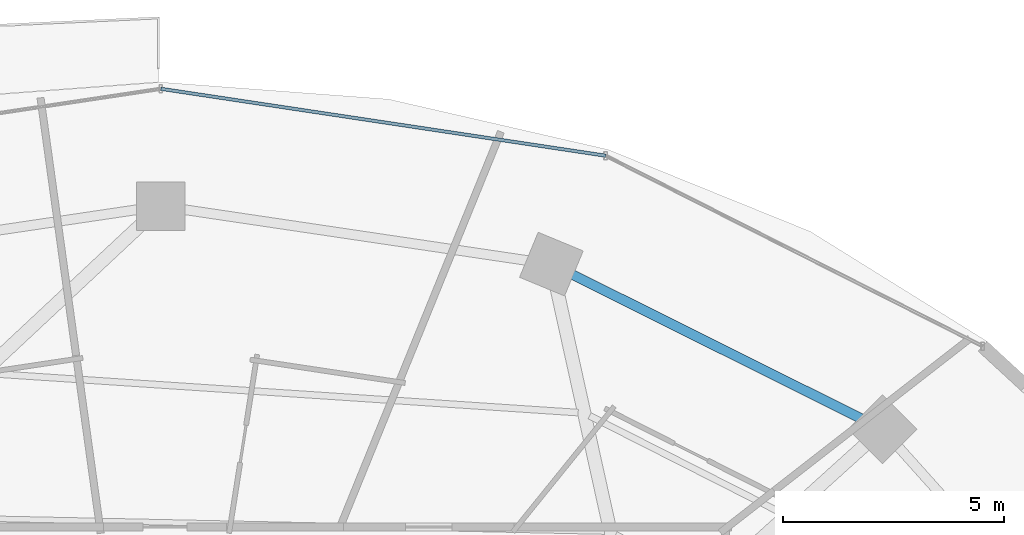
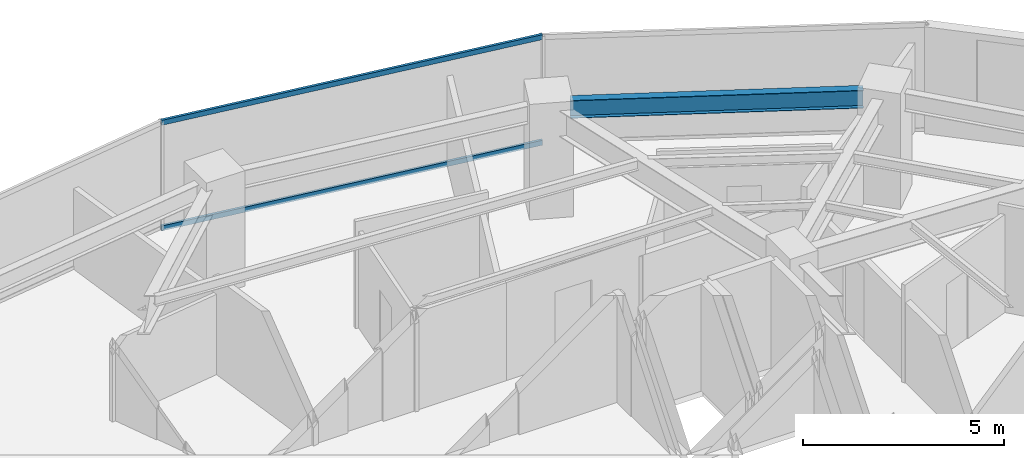
# One storey, part 19 of 30: 2 members, 1 beam, 1 element without a shape of its own.
"""IFC4 building model written with IfcOpenShell, lengths in metres."""

from ifc_helpers import new_model, si_unit, direction, frame, origin, origin_2d, place, context, subcontext, project, spatial, hollow_rectangle, i_section, extrude, material, material_profile, profile_set, type_object, element, aggregate, save


model = new_model("IFC4")

# Units and contexts
model_context = context("Model", 3, precision=1e-05, world=origin(), true_north=direction((0.0, 1.0)))
body_context = subcontext(model_context, "Body", "Model", "MODEL_VIEW")
ifc_project = project(units=[si_unit("LENGTHUNIT", "METRE"), si_unit("AREAUNIT", "SQUARE_METRE"), si_unit("VOLUMEUNIT", "CUBIC_METRE"), si_unit("PLANEANGLEUNIT", "RADIAN"), si_unit("MASSUNIT", "GRAM", prefix="KILO")], contexts=[model_context])

# Site, building, storey
site_placement = place(None, origin())
site = spatial("IfcSite", under=ifc_project, at=site_placement, CompositionType="ELEMENT")
building_placement = place(site_placement, origin())
building = spatial("IfcBuilding", under=site, at=building_placement, Name="Vorneva Point Tower", CompositionType="ELEMENT")
storey_placement = place(building_placement, frame((0.0, 0.0, 96.300048828125)))
storey = spatial("IfcBuildingStorey", under=building, at=storey_placement, Name="L25", CompositionType="ELEMENT", Elevation=96.300048828125)

# Beam
ifc_material_1 = material(Name="Steel S355", Category="steel")
ifc_material_profile_1 = material_profile(ifc_material_1, i_section(OverallWidth=0.219970703125, OverallDepth=0.54296875, WebThickness=0.009521484375, FlangeThickness=0.013427734375, at=origin_2d()), Name="55B1")
ifc_profile_set_1 = profile_set([ifc_material_profile_1], Name="Steel S355")
beam_type = type_object("IfcBeamType", Name="BM-SPN-55B1", PredefinedType="SPANDREL", material=ifc_profile_set_1)
beam_placement = place(storey_placement, frame((53.820068359375, 38.40087890625, 2.968505859375), z_axis=(-0.894915882304, 0.446234874926, 0.0), x_axis=(-0.446234874926, -0.894915882304, 0.0)))
element("IfcBeam", 1, at=beam_placement, inside=storey, type_object=beam_type, Name="L25 Perimeter Spandrel Ring Beam 03", PredefinedType="SPANDREL", context=body_context, shape_type="SweptSolid", body=[
    extrude(i_section(OverallWidth=0.219970703125, OverallDepth=0.54296875, WebThickness=0.009521484375, FlangeThickness=0.013427734375, at=origin_2d()), origin(), (0.0, 0.0, 1.0), 7.285888671875),
])

# Curtain wall, members
ifc_material_2 = material(Name="Pale anodised aluminium", Category="aluminium")
curtain_wall_type = type_object("IfcCurtainWallType", Name="CW-HTL-SYS", PredefinedType="NOTDEFINED", material=ifc_material_2)
curtain_wall_placement = place(storey_placement, origin())
curtain_wall = element("IfcCurtainWall", 2, at=curtain_wall_placement, inside=storey, type_object=curtain_wall_type, Name="L25 Unitised Curtain Wall CW-L25-R02", PredefinedType="NOTDEFINED")
ifc_material_profile_2 = material_profile(ifc_material_2, hollow_rectangle(XDim=0.074951171875, YDim=0.14990234375, WallThickness=0.00390625, at=origin_2d()), Name="AL-TRN 150x75x4")
ifc_profile_set_2 = profile_set([ifc_material_profile_2], Name="Pale anodised aluminium")
member_type = type_object("IfcMemberType", Name="CW-TRN-150", PredefinedType="USERDEFINED", material=ifc_profile_set_2)
member_1_placement = place(storey_placement, frame((48.04541015625, 44.339111328125, 0.02001953125), z_axis=(-0.988875982167, 0.148742367512, 0.0), x_axis=(-0.148742367512, -0.988875982167, 0.0)))
member_1 = element("IfcMember", 3, at=member_1_placement, type_object=member_type, Name="CW-L25-R02 Transom 02.1", ObjectType="TRANSOM", PredefinedType="USERDEFINED", context=body_context, shape_type="SweptSolid", body=[
    extrude(hollow_rectangle(XDim=0.074951171875, YDim=0.14990234375, WallThickness=0.00390625, at=origin_2d()), origin(), (0.0, 0.0, 1.0), 10.158447265625),
])
member_2_placement = place(storey_placement, frame((48.04541015625, 44.339111328125, 3.219970703125), z_axis=(-0.988875982167, 0.148742367512, 0.0), x_axis=(-0.148742367512, -0.988875982167, 0.0)))
member_2 = element("IfcMember", 4, at=member_2_placement, type_object=member_type, Name="CW-L25-R02 Transom 02.2", ObjectType="TRANSOM", PredefinedType="USERDEFINED", context=body_context, shape_type="SweptSolid", body=[
    extrude(hollow_rectangle(XDim=0.074951171875, YDim=0.14990234375, WallThickness=0.00390625, at=origin_2d()), origin(), (0.0, 0.0, 1.0), 10.158447265625),
])
aggregate(curtain_wall, [member_1, member_2])

save(model, "model.ifc")
